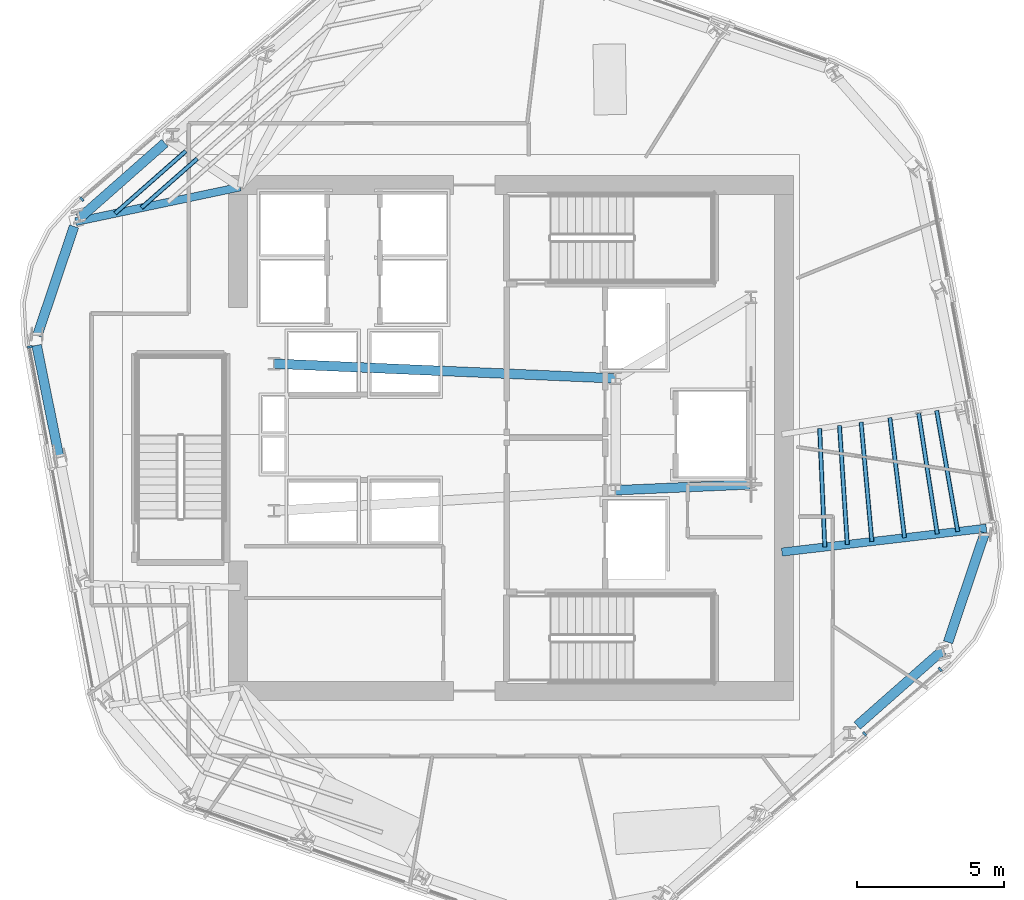
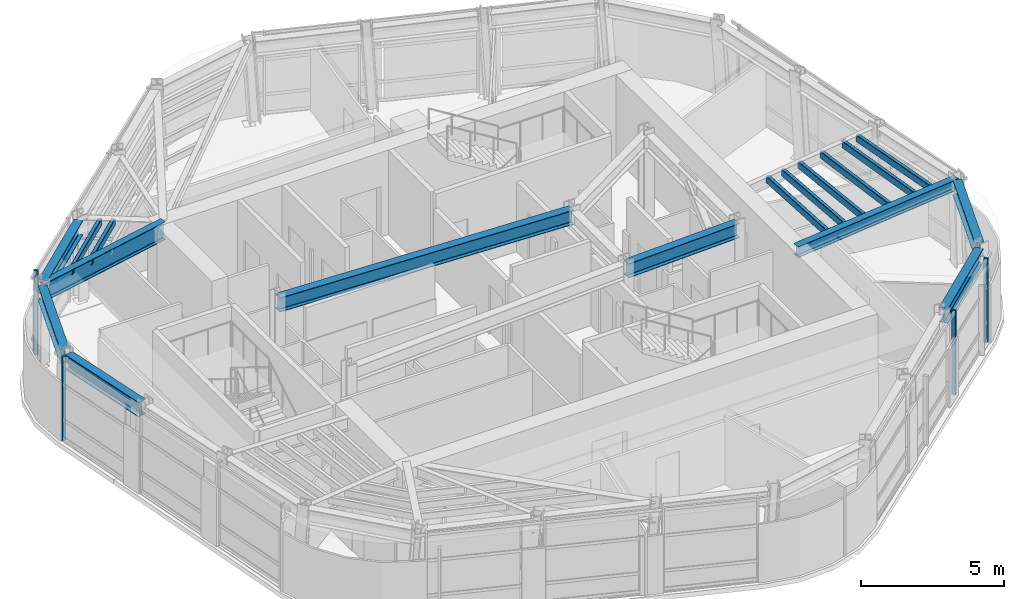
# One storey, part 3 of 14: 12 members, 9 beams, 3 elements without a shape of their own.
"""IFC4 building model written with IfcOpenShell, lengths in metres."""

import ifcopenshell
import ifcopenshell.guid

model = None  # the IFC model being written
_history = None  # IfcOwnerHistory: only IFC2X3 demands one
_inside = {}  # id of a spatial element -> (the spatial element, [elements in it])
_under = {}  # id of a project, library or spatial element -> (it, [spatial elements below it])
_declared = {}  # id of a project -> (the project, [libraries it declares])
_typed = {}  # id of a type object -> (the type object, [elements of that type])
_made_of = {}  # id of a material, layer set ... -> (it, [elements and type objects made of it])


def new_model(schema):
    """Start an empty IFC model of exactly this schema.

    Asked for "IFC4X3", IfcOpenShell would pick the latest addendum, in which some entities
    have other attributes; the version numbers below select the first issue.
    IFC2X3 requires an IfcOwnerHistory on every rooted entity: one is made here for all.
    """
    global model, _history
    if schema == "IFC4X3":
        model = ifcopenshell.file(schema_version=(4, 3, 0, 0))
    else:
        model = ifcopenshell.file(schema=schema)
    _inside.clear()
    _under.clear()
    _declared.clear()
    _typed.clear()
    _made_of.clear()
    _history = None
    if model.schema == "IFC2X3":
        org = make("IfcOrganization", Name="unknown")
        user = make(
            "IfcPersonAndOrganization",
            ThePerson=make("IfcPerson", FamilyName="unknown"),
            TheOrganization=org,
        )
        app = make(
            "IfcApplication",
            ApplicationDeveloper=org,
            Version="unknown",
            ApplicationFullName="unknown",
            ApplicationIdentifier="unknown",
        )
        _history = make(
            "IfcOwnerHistory",
            OwningUser=user,
            OwningApplication=app,
            ChangeAction="ADDED",
            CreationDate=0,
        )
    return model


def make(cls, **values):
    """One entity of the class cls with the attributes given. An attribute that is None is left unset."""
    return model.create_entity(
        cls, **{name: value for name, value in values.items() if value is not None}
    )


def rooted(cls, **values):
    """An entity with a GlobalId (a new one), such as an element, a storey or a relation."""
    return make(cls, GlobalId=ifcopenshell.guid.new(), OwnerHistory=_history, **values)


def si_unit(unit_type, name, prefix=None):
    """IfcSIUnit, for example si_unit("LENGTHUNIT", "METRE", prefix="MILLI")."""
    return make("IfcSIUnit", UnitType=unit_type, Prefix=prefix, Name=name)


def assignment(units):
    """IfcUnitAssignment: the units of a project."""
    return None if units is None else make("IfcUnitAssignment", Units=units)


def point(xyz):
    """IfcCartesianPoint."""
    return None if xyz is None else make("IfcCartesianPoint", Coordinates=xyz)


def direction(xyz):
    """IfcDirection."""
    return None if xyz is None else make("IfcDirection", DirectionRatios=xyz)


def frame(location, z_axis=None, x_axis=None):
    """IfcAxis2Placement3D, a coordinate frame: its origin and axes. An axis left out is left unset."""
    return make(
        "IfcAxis2Placement3D",
        Location=point(location),
        Axis=direction(z_axis),
        RefDirection=direction(x_axis),
    )


def frame_2d(location, x_axis=None):
    """IfcAxis2Placement2D, a coordinate frame in the plane: its origin and x axis."""
    return make(
        "IfcAxis2Placement2D", Location=point(location), RefDirection=direction(x_axis)
    )


def origin():
    """The frame at (0, 0, 0) with its axes left unset."""
    return frame((0.0, 0.0, 0.0))


def origin_2d():
    """The frame at (0, 0) in the plane with its x axis left unset."""
    return frame_2d((0.0, 0.0))


def place(relative_to, where):
    """IfcLocalPlacement: puts the frame where relative to a parent placement (None: the world)."""
    return make(
        "IfcLocalPlacement", PlacementRelTo=relative_to, RelativePlacement=where
    )


def context(
    kind, dimensions, precision=None, world=None, true_north=None, identifier=None
):
    """IfcGeometricRepresentationContext, for example the 3D "Model" context."""
    return make(
        "IfcGeometricRepresentationContext",
        ContextIdentifier=identifier,
        ContextType=kind,
        CoordinateSpaceDimension=dimensions,
        Precision=precision,
        WorldCoordinateSystem=world,
        TrueNorth=true_north,
    )


def subcontext(parent, identifier, kind, view, scale=None):
    """IfcGeometricRepresentationSubContext, for example "Body" below "Model"."""
    return make(
        "IfcGeometricRepresentationSubContext",
        ContextIdentifier=identifier,
        ContextType=kind,
        ParentContext=parent,
        TargetScale=scale,
        TargetView=view,
    )


def project(units=None, contexts=None):
    """IfcProject with its units and contexts."""
    return rooted(
        "IfcProject",
        Name="project",
        RepresentationContexts=contexts,
        UnitsInContext=assignment(units),
    )


def spatial(cls, under=None, at=None, **own):
    """A site, building, storey or space (cls), placed at a placement, below another one or the project."""
    s = rooted(cls, ObjectPlacement=at, **own)
    if under is not None:
        _under.setdefault(under.id(), (under, []))[1].append(s)
    return s


def profile(cls, at=None, kind="AREA", **sizes):
    """A parametric profile (cls). Its sizes go by their IFC names, for example OverallWidth=200.0."""
    return make(cls, ProfileType=kind, Position=at, **sizes)


def rectangle(**sizes):
    """IfcRectangleProfileDef."""
    return profile("IfcRectangleProfileDef", **sizes)


def hollow_rectangle(**sizes):
    """IfcRectangleHollowProfileDef."""
    return profile("IfcRectangleHollowProfileDef", **sizes)


def i_section(**sizes):
    """IfcIShapeProfileDef."""
    return profile("IfcIShapeProfileDef", **sizes)


def extrude(swept, where, along, depth):
    """IfcExtrudedAreaSolid: the profile swept, set in the frame where, extruded along a direction by depth."""
    return make(
        "IfcExtrudedAreaSolid",
        SweptArea=swept,
        Position=where,
        ExtrudedDirection=direction(along),
        Depth=depth,
    )


def shape(context_of_items, identifier, shape_type, items):
    """IfcShapeRepresentation: the items that make up one representation, for example the "Body"."""
    return make(
        "IfcShapeRepresentation",
        ContextOfItems=context_of_items,
        RepresentationIdentifier=identifier,
        RepresentationType=shape_type,
        Items=items,
    )


def material(Name=None, Category=None):
    """IfcMaterial."""
    return make("IfcMaterial", Name=Name, Category=Category)


def layer(
    of_material, thickness, ventilated=None, Name=None, Category=None, Priority=None
):
    """IfcMaterialLayer: one layer of a wall or slab, of a material (None: an air gap)."""
    return make(
        "IfcMaterialLayer",
        Material=of_material,
        LayerThickness=thickness,
        IsVentilated=ventilated,
        Name=Name,
        Category=Category,
        Priority=Priority,
    )


def layer_set(layers, Name=None):
    """IfcMaterialLayerSet."""
    return make("IfcMaterialLayerSet", MaterialLayers=layers, LayerSetName=Name)


def material_profile(
    of_material, cross_section, Name=None, Category=None, Priority=None
):
    """IfcMaterialProfile: a cross section and its material."""
    return make(
        "IfcMaterialProfile",
        Name=Name,
        Material=of_material,
        Profile=cross_section,
        Priority=Priority,
        Category=Category,
    )


def profile_set(profiles, Name=None, composite=None):
    """IfcMaterialProfileSet."""
    return make(
        "IfcMaterialProfileSet",
        Name=Name,
        MaterialProfiles=profiles,
        CompositeProfile=composite,
    )


def made_of(thing, what):
    """Note that an element or type object is made of a material, layer set ...; save() writes the relation."""
    if what is not None:
        _made_of.setdefault(what.id(), (what, []))[1].append(thing)
    return thing


def type_object(cls, material=None, **own):
    """A type object (cls), such as IfcWallType, which elements share."""
    return made_of(rooted(cls, **own), material)


def element(
    cls,
    number,
    at=None,
    inside=None,
    cuts=None,
    type_object=None,
    material=None,
    context=None,
    identifier="Body",
    shape_type=None,
    held_by="IfcProductDefinitionShape",
    body=None,
    shapes=None,
    **own,
):
    """One element of the class cls, such as IfcWall. Its Tag is "e" and its number.

    at: its placement. inside: the storey or other place that contains it. cuts: it is an
    opening in that element (IfcRelVoidsElement). A single representation is given by context,
    identifier, shape_type and body (its items); several are given by shapes. held_by: the class
    of the entity that holds the representations. save() writes the other relations.
    """
    e = rooted(cls, Tag="e%d" % number, ObjectPlacement=at, **own)
    if body is not None:
        shapes = [shape(context, identifier, shape_type, body)]
    if shapes is not None:
        e.Representation = make(held_by, Representations=shapes)
    if inside is not None:
        _inside.setdefault(inside.id(), (inside, []))[1].append(e)
    if cuts is not None:
        rooted(
            "IfcRelVoidsElement", RelatingBuildingElement=cuts, RelatedOpeningElement=e
        )
    if type_object is not None:
        _typed.setdefault(type_object.id(), (type_object, []))[1].append(e)
    return made_of(e, material)


def aggregate(whole, parts):
    """IfcRelAggregates: a whole, such as a stair, and the parts it consists of."""
    return rooted("IfcRelAggregates", RelatingObject=whole, RelatedObjects=parts)


def save(model, path):
    """Write the relations noted so far, then the file.

    IfcRelAggregates (storeys below a building ...), IfcRelContainedInSpatialStructure (elements
    in a storey), IfcRelDefinesByType, IfcRelAssociatesMaterial and IfcRelDeclares: one each for
    every whole, place, type object, material and project.
    """
    for whole, parts in _under.values():
        aggregate(whole, parts)
    for where, things in _inside.values():
        rooted(
            "IfcRelContainedInSpatialStructure",
            RelatedElements=things,
            RelatingStructure=where,
        )
    for kind, things in _typed.values():
        rooted("IfcRelDefinesByType", RelatedObjects=things, RelatingType=kind)
    for what, things in _made_of.values():
        rooted("IfcRelAssociatesMaterial", RelatedObjects=things, RelatingMaterial=what)
    for by, libraries in _declared.values():
        rooted("IfcRelDeclares", RelatingContext=by, RelatedDefinitions=libraries)
    model.write(path)


model = new_model("IFC4")

# Units and contexts
model_context = context("Model", 3, precision=1e-05, world=origin(), true_north=direction((0.0, 1.0)))
body_context = subcontext(model_context, "Body", "Model", "MODEL_VIEW")
ifc_project = project(units=[si_unit("LENGTHUNIT", "METRE"), si_unit("AREAUNIT", "SQUARE_METRE"), si_unit("VOLUMEUNIT", "CUBIC_METRE"), si_unit("PLANEANGLEUNIT", "RADIAN"), si_unit("MASSUNIT", "GRAM", prefix="KILO")], contexts=[model_context])

# Site, building, storey
site_placement = place(None, origin())
site = spatial("IfcSite", under=ifc_project, at=site_placement, CompositionType="ELEMENT")
building_placement = place(site_placement, origin())
building = spatial("IfcBuilding", under=site, at=building_placement, Name="Valkerne Bourse Tower", CompositionType="ELEMENT")
storey_placement = place(building_placement, frame((0.0, 0.0, 198.0)))
storey = spatial("IfcBuildingStorey", under=building, at=storey_placement, Name="L50", CompositionType="ELEMENT", Elevation=198.0)

# Beams
ifc_material_1 = material(Name="Steel ASTM A992", Category="steel")
ifc_material_profile_1 = material_profile(ifc_material_1, i_section(OverallWidth=0.279296875, OverallDepth=0.46240234375, WebThickness=0.0107421875, FlangeThickness=0.017333984375, FilletRadius=0.017822265625, at=origin_2d()), Name="W18X76")
ifc_profile_set_1 = profile_set([ifc_material_profile_1], Name="Steel ASTM A992")
beam_type_1 = type_object("IfcBeamType", Name="BM-W18X76", PredefinedType="BEAM", material=ifc_profile_set_1)
beam_1_placement = place(storey_placement, frame((62.94775390625, 23.810791015625, 3.368896484375), z_axis=(-0.993259523038, -0.11591169007, 0.0), x_axis=(0.11591169007, -0.993259523038, 0.0)))
element("IfcBeam", 1, at=beam_1_placement, inside=storey, type_object=beam_type_1, Name="L50 Radial Composite Floor Beam 20", PredefinedType="BEAM", context=body_context, shape_type="SweptSolid", body=[
    extrude(i_section(OverallWidth=0.279296875, OverallDepth=0.46240234375, WebThickness=0.0107421875, FlangeThickness=0.017333984375, FilletRadius=0.017822265625, at=origin_2d()), origin(), (0.0, 0.0, 1.0), 6.994873046875),
])
ifc_material_profile_2 = material_profile(ifc_material_1, i_section(OverallWidth=0.3251953125, OverallDepth=0.612060546875, WebThickness=0.0126953125, FlangeThickness=0.01904296875, FilletRadius=0.020263671875, at=origin_2d()), Name="W24X104")
ifc_profile_set_2 = profile_set([ifc_material_profile_2], Name="Steel ASTM A992")
beam_type_2 = type_object("IfcBeamType", Name="BM-W24X104", PredefinedType="BEAM", material=ifc_profile_set_2)
beam_2_placement = place(storey_placement, frame((50.35009765625, 25.10009765625, 3.2939453125), z_axis=(0.999056558506, 0.043428019819, 0.0), x_axis=(-0.043428019819, 0.999056558506, 0.0)))
element("IfcBeam", 2, at=beam_2_placement, inside=storey, type_object=beam_type_2, Name="L50 Core Frame Girder CG-SE", PredefinedType="BEAM", context=body_context, shape_type="SweptSolid", body=[
    extrude(i_section(OverallWidth=0.3251953125, OverallDepth=0.612060546875, WebThickness=0.0126953125, FlangeThickness=0.01904296875, FilletRadius=0.020263671875, at=origin_2d()), origin(), (0.0, 0.0, 1.0), 4.604248046875),
])
beam_3_placement = place(storey_placement, frame((38.75, 29.39990234375, 3.2939453125), z_axis=(0.999072354402, -0.043063101019, 0.0), x_axis=(0.043063101019, 0.999072354402, 0.0)))
element("IfcBeam", 3, at=beam_3_placement, inside=storey, type_object=beam_type_2, Name="L50 Core Frame Girder CG-NW", PredefinedType="BEAM", context=body_context, shape_type="SweptSolid", body=[
    extrude(i_section(OverallWidth=0.3251953125, OverallDepth=0.612060546875, WebThickness=0.0126953125, FlangeThickness=0.01904296875, FilletRadius=0.020263671875, at=origin_2d()), origin(), (0.0, 0.0, 1.0), 11.61083984375),
])
ifc_material_profile_3 = material_profile(ifc_material_1, i_section(OverallWidth=0.32763671875, OverallDepth=0.62744140625, WebThickness=0.0166015625, FlangeThickness=0.027587890625, FilletRadius=0.020263671875, at=origin_2d()), Name="W24X146")
ifc_profile_set_3 = profile_set([ifc_material_profile_3], Name="Steel ASTM A992")
beam_type_3 = type_object("IfcBeamType", Name="BM-W24X146", PredefinedType="SPANDREL", material=ifc_profile_set_3)
beam_4_placement = place(storey_placement, frame((35.041748046875, 36.8955078125, 3.286376953125), z_axis=(-0.750130348516, -0.661289997078, 0.0), x_axis=(0.661289997078, -0.750130348516, 0.0)))
element("IfcBeam", 4, at=beam_4_placement, inside=storey, type_object=beam_type_3, Name="L50 Hexagonal Spandrel Ring Beam 06", PredefinedType="SPANDREL", context=body_context, shape_type="SweptSolid", body=[
    extrude(i_section(OverallWidth=0.32763671875, OverallDepth=0.62744140625, WebThickness=0.0166015625, FlangeThickness=0.027587890625, FilletRadius=0.020263671875, at=origin_2d()), origin(), (0.0, 0.0, 1.0), 3.8720703125),
])
beam_5_placement = place(storey_placement, frame((31.95556640625, 34.0615234375, 3.286376953125), z_axis=(-0.318976016072, -0.947762787395, 0.0), x_axis=(0.947762787395, -0.318976016072, 0.0)))
element("IfcBeam", 5, at=beam_5_placement, inside=storey, type_object=beam_type_3, Name="L50 Hexagonal Spandrel Ring Beam 07", PredefinedType="SPANDREL", context=body_context, shape_type="SweptSolid", body=[
    extrude(i_section(OverallWidth=0.32763671875, OverallDepth=0.62744140625, WebThickness=0.0166015625, FlangeThickness=0.027587890625, FilletRadius=0.020263671875, at=origin_2d()), origin(), (0.0, 0.0, 1.0), 3.915771484375),
])
beam_6_placement = place(storey_placement, frame((30.685791015625, 30.022705078125, 3.286376953125), z_axis=(0.19765572137, -0.98027150107, 0.0), x_axis=(0.98027150107, 0.19765572137, 0.0)))
element("IfcBeam", 6, at=beam_6_placement, inside=storey, type_object=beam_type_3, Name="L50 Hexagonal Spandrel Ring Beam 08", PredefinedType="SPANDREL", context=body_context, shape_type="SweptSolid", body=[
    extrude(i_section(OverallWidth=0.32763671875, OverallDepth=0.62744140625, WebThickness=0.0166015625, FlangeThickness=0.027587890625, FilletRadius=0.020263671875, at=origin_2d()), origin(), (0.0, 0.0, 1.0), 3.872314453125),
])
beam_7_placement = place(storey_placement, frame((58.558349609375, 17.1044921875, 3.286376953125), z_axis=(0.750130348516, 0.661289997078, 0.0), x_axis=(-0.661289997078, 0.750130348516, 0.0)))
element("IfcBeam", 7, at=beam_7_placement, inside=storey, type_object=beam_type_3, Name="L50 Hexagonal Spandrel Ring Beam 18", PredefinedType="SPANDREL", context=body_context, shape_type="SweptSolid", body=[
    extrude(i_section(OverallWidth=0.32763671875, OverallDepth=0.62744140625, WebThickness=0.0166015625, FlangeThickness=0.027587890625, FilletRadius=0.020263671875, at=origin_2d()), origin(), (0.0, 0.0, 1.0), 3.8720703125),
])
beam_8_placement = place(storey_placement, frame((61.64453125, 19.9384765625, 3.286376953125), z_axis=(0.318976016072, 0.947762787395, 0.0), x_axis=(-0.947762787395, 0.318976016072, 0.0)))
element("IfcBeam", 8, at=beam_8_placement, inside=storey, type_object=beam_type_3, Name="L50 Hexagonal Spandrel Ring Beam 19", PredefinedType="SPANDREL", context=body_context, shape_type="SweptSolid", body=[
    extrude(i_section(OverallWidth=0.32763671875, OverallDepth=0.62744140625, WebThickness=0.0166015625, FlangeThickness=0.027587890625, FilletRadius=0.020263671875, at=origin_2d()), origin(), (0.0, 0.0, 1.0), 3.915771484375),
])
ifc_material_profile_4 = material_profile(ifc_material_1, i_section(OverallWidth=0.26806640625, OverallDepth=0.76953125, WebThickness=0.015625, FlangeThickness=0.025390625, FilletRadius=0.025390625, at=origin_2d()), Name="W30X132")
ifc_profile_set_4 = profile_set([ifc_material_profile_4], Name="Steel ASTM A992")
beam_type_4 = type_object("IfcBeamType", Name="BM-W30X132", PredefinedType="BEAM", material=ifc_profile_set_4)
beam_9_placement = place(storey_placement, frame((32.009765625, 34.22265625, 3.215087890625), z_axis=(0.978537994516, 0.206066477839, 0.0), x_axis=(-0.206066477839, 0.978537994516, 0.0)))
element("IfcBeam", 9, at=beam_9_placement, inside=storey, type_object=beam_type_4, Name="L50 Radial Composite Floor Beam 07", PredefinedType="BEAM", context=body_context, shape_type="SweptSolid", body=[
    extrude(i_section(OverallWidth=0.26806640625, OverallDepth=0.76953125, WebThickness=0.015625, FlangeThickness=0.025390625, FilletRadius=0.025390625, at=origin_2d()), origin(), (0.0, 0.0, 1.0), 5.712890625),
])

# Curtain wall, member
ifc_material_2 = material(Name="Aluminium AA 6063-T6", Category="aluminium")
ifc_layer = layer(ifc_material_2, 0.239990234375)
ifc_layer_set = layer_set([ifc_layer], Name="Aluminium AA 6063-T6")
curtain_wall_type = type_object("IfcCurtainWallType", Name="CW-04", PredefinedType="NOTDEFINED", material=ifc_layer_set)
curtain_wall_1_placement = place(storey_placement, origin())
curtain_wall_1 = element("IfcCurtainWall", 10, at=curtain_wall_1_placement, inside=storey, type_object=curtain_wall_type, Name="L50 Hexagonal Stick Curtain Wall Face 2", PredefinedType="NOTDEFINED")
ifc_material_profile_5 = material_profile(ifc_material_2, rectangle(XDim=0.074951171875, YDim=0.159912109375, at=origin_2d()), Name="CWM-75X160")
ifc_profile_set_5 = profile_set([ifc_material_profile_5], Name="Aluminium AA 6063-T6")
member_type_1 = type_object("IfcMemberType", Name="CW-MUL-160X75", PredefinedType="MULLION", material=ifc_profile_set_5)
member_1_placement = place(storey_placement, frame((32.2236328125, 34.9853515625, 0.0), z_axis=(0.0, 0.0, 1.0), x_axis=(-0.760400058591, -0.649454964486, 0.0)))
member_1 = element("IfcMember", 11, at=member_1_placement, type_object=member_type_1, Name="CW-L50-F2 Jamb Mullion 02B", PredefinedType="MULLION", context=body_context, shape_type="SweptSolid", body=[
    extrude(rectangle(XDim=0.074951171875, YDim=0.159912109375, at=origin_2d()), origin(), (0.0, 0.0, 1.0), 3.60009765625),
])
aggregate(curtain_wall_1, [member_1])

curtain_wall_2_placement = place(storey_placement, origin())
curtain_wall_2 = element("IfcCurtainWall", 12, at=curtain_wall_2_placement, inside=storey, type_object=curtain_wall_type, Name="L50 Hexagonal Stick Curtain Wall Face 3", PredefinedType="NOTDEFINED")
member_2_placement = place(storey_placement, frame((30.446533203125, 29.967529296875, 0.0), z_axis=(0.0, 0.0, 1.0), x_axis=(0.182239736328, -0.983254127122, 0.0)))
member_2 = element("IfcMember", 13, at=member_2_placement, type_object=member_type_1, Name="CW-L50-F3 Jamb Mullion 00A", PredefinedType="MULLION", context=body_context, shape_type="SweptSolid", body=[
    extrude(rectangle(XDim=0.074951171875, YDim=0.159912109375, at=origin_2d()), origin(), (0.0, 0.0, 1.0), 3.60009765625),
])
aggregate(curtain_wall_2, [member_2])

# Curtain wall, members
curtain_wall_3_placement = place(storey_placement, origin())
curtain_wall_3 = element("IfcCurtainWall", 14, at=curtain_wall_3_placement, inside=storey, type_object=curtain_wall_type, Name="L50 Hexagonal Stick Curtain Wall Face 5", PredefinedType="NOTDEFINED")
member_3_placement = place(storey_placement, frame((58.8125, 16.82470703125, 0.0), z_axis=(0.0, 0.0, 1.0), x_axis=(0.760400058591, 0.649454964486, 0.0)))
member_3 = element("IfcMember", 15, at=member_3_placement, type_object=member_type_1, Name="CW-L50-F5 Jamb Mullion 02A", PredefinedType="MULLION", context=body_context, shape_type="SweptSolid", body=[
    extrude(rectangle(XDim=0.074951171875, YDim=0.159912109375, at=origin_2d()), origin(), (0.0, 0.0, 1.0), 3.60009765625),
])
member_4_placement = place(storey_placement, frame((61.37646484375, 19.0146484375, 0.0), z_axis=(0.0, 0.0, 1.0), x_axis=(0.760400058591, 0.649454964486, 0.0)))
member_4 = element("IfcMember", 16, at=member_4_placement, type_object=member_type_1, Name="CW-L50-F5 Jamb Mullion 02B", PredefinedType="MULLION", context=body_context, shape_type="SweptSolid", body=[
    extrude(rectangle(XDim=0.074951171875, YDim=0.159912109375, at=origin_2d()), origin(), (0.0, 0.0, 1.0), 3.60009765625),
])
aggregate(curtain_wall_3, [member_3, member_4])

# Members
ifc_material_3 = material(Name="Steel ASTM A500 Grade C", Category="steel")
ifc_material_profile_6 = material_profile(ifc_material_3, hollow_rectangle(XDim=0.14990234375, YDim=0.300048828125, WallThickness=0.012451171875, OuterFilletRadius=0.02490234375, at=origin_2d()), Name="HSS300X150X12.5")
ifc_profile_set_6 = profile_set([ifc_material_profile_6], Name="Steel ASTM A500 Grade C")
member_type_2 = type_object("IfcMemberType", Name="MBR-HSS300X150X12.5", PredefinedType="PURLIN", material=ifc_profile_set_6)
member_5_placement = place(storey_placement, frame((58.223388671875, 23.259521484375, 3.43994140625), z_axis=(-0.065826830169, 0.997831062069, 0.0), x_axis=(-0.997831062069, -0.065826830169, 0.0)))
element("IfcMember", 17, at=member_5_placement, inside=storey, type_object=member_type_2, Name="L50 Secondary Composite Floor Purlin I-20", PredefinedType="PURLIN", context=body_context, shape_type="SweptSolid", body=[
    extrude(hollow_rectangle(XDim=0.14990234375, YDim=0.300048828125, WallThickness=0.012451171875, OuterFilletRadius=0.02490234375, at=origin_2d()), origin(), (0.0, 0.0, 1.0), 4.050048828125),
])
member_6_placement = place(storey_placement, frame((59.056884765625, 23.356689453125, 3.43994140625), z_axis=(-0.08990345595, 0.995950485018, 0.0), x_axis=(-0.995950485018, -0.08990345595, 0.0)))
element("IfcMember", 18, at=member_6_placement, inside=storey, type_object=member_type_2, Name="L50 Secondary Composite Floor Purlin K-20", PredefinedType="PURLIN", context=body_context, shape_type="SweptSolid", body=[
    extrude(hollow_rectangle(XDim=0.14990234375, YDim=0.300048828125, WallThickness=0.012451171875, OuterFilletRadius=0.02490234375, at=origin_2d()), origin(), (0.0, 0.0, 1.0), 4.073486328125),
])
member_7_placement = place(storey_placement, frame((35.752685546875, 36.6220703125, 3.43994140625), z_axis=(-0.750133785962, -0.661286097812, 0.0), x_axis=(0.661286097812, -0.750133785962, 0.0)))
element("IfcMember", 19, at=member_7_placement, inside=storey, type_object=member_type_2, Name="L50 Secondary Composite Floor Purlin O-06", PredefinedType="PURLIN", context=body_context, shape_type="SweptSolid", body=[
    extrude(hollow_rectangle(XDim=0.14990234375, YDim=0.300048828125, WallThickness=0.012451171875, OuterFilletRadius=0.02490234375, at=origin_2d()), origin(), (0.0, 0.0, 1.0), 3.201171875),
])
member_8_placement = place(storey_placement, frame((61.2802734375, 23.6162109375, 3.43994140625), z_axis=(-0.15255713117, 0.988294653294, 0.0), x_axis=(-0.988294653294, -0.15255713117, 0.0)))
element("IfcMember", 20, at=member_8_placement, inside=storey, type_object=member_type_2, Name="L50 Secondary Composite Floor Purlin O-20", PredefinedType="PURLIN", context=body_context, shape_type="SweptSolid", body=[
    extrude(hollow_rectangle(XDim=0.14990234375, YDim=0.300048828125, WallThickness=0.012451171875, OuterFilletRadius=0.02490234375, at=origin_2d()), origin(), (0.0, 0.0, 1.0), 4.146484375),
])
member_9_placement = place(storey_placement, frame((36.1416015625, 36.36474609375, 3.43994140625), z_axis=(-0.750147890483, -0.661270097921, 0.0), x_axis=(0.661270097921, -0.750147890483, 0.0)))
element("IfcMember", 21, at=member_9_placement, inside=storey, type_object=member_type_2, Name="L50 Secondary Composite Floor Purlin Z-06", PredefinedType="PURLIN", context=body_context, shape_type="SweptSolid", body=[
    extrude(hollow_rectangle(XDim=0.14990234375, YDim=0.300048828125, WallThickness=0.012451171875, OuterFilletRadius=0.02490234375, at=origin_2d()), origin(), (0.0, 0.0, 1.0), 2.527099609375),
])
member_10_placement = place(storey_placement, frame((60.168701171875, 23.486572265625, 3.43994140625), z_axis=(-0.121605723321, 0.992578484582, 0.0), x_axis=(-0.992578484582, -0.121605723321, 0.0)))
element("IfcMember", 22, at=member_10_placement, inside=storey, type_object=member_type_2, Name="L50 Secondary Composite Floor Purlin Z-20", PredefinedType="PURLIN", context=body_context, shape_type="SweptSolid", body=[
    extrude(hollow_rectangle(XDim=0.14990234375, YDim=0.300048828125, WallThickness=0.012451171875, OuterFilletRadius=0.02490234375, at=origin_2d()), origin(), (0.0, 0.0, 1.0), 4.107666015625),
])
member_11_placement = place(storey_placement, frame((57.458984375, 23.17041015625, 3.43994140625), z_axis=(-0.043368881729, 0.999059127428, 0.0), x_axis=(-0.999059127428, -0.043368881729, 0.0)))
element("IfcMember", 23, at=member_11_placement, inside=storey, type_object=member_type_2, Name="L50 Secondary Composite Floor Purlin S-20", PredefinedType="PURLIN", context=body_context, shape_type="SweptSolid", body=[
    extrude(hollow_rectangle(XDim=0.14990234375, YDim=0.300048828125, WallThickness=0.012451171875, OuterFilletRadius=0.02490234375, at=origin_2d()), origin(), (0.0, 0.0, 1.0), 4.03076171875),
])
member_12_placement = place(storey_placement, frame((61.97509765625, 23.697265625, 3.43994140625), z_axis=(-0.171605369264, 0.985165771452, 0.0), x_axis=(-0.985165771452, -0.171605369264, 0.0)))
element("IfcMember", 24, at=member_12_placement, inside=storey, type_object=member_type_2, Name="L50 Secondary Composite Floor Purlin T-20", PredefinedType="PURLIN", context=body_context, shape_type="SweptSolid", body=[
    extrude(hollow_rectangle(XDim=0.14990234375, YDim=0.300048828125, WallThickness=0.012451171875, OuterFilletRadius=0.02490234375, at=origin_2d()), origin(), (0.0, 0.0, 1.0), 4.1728515625),
])

save(model, "model.ifc")
